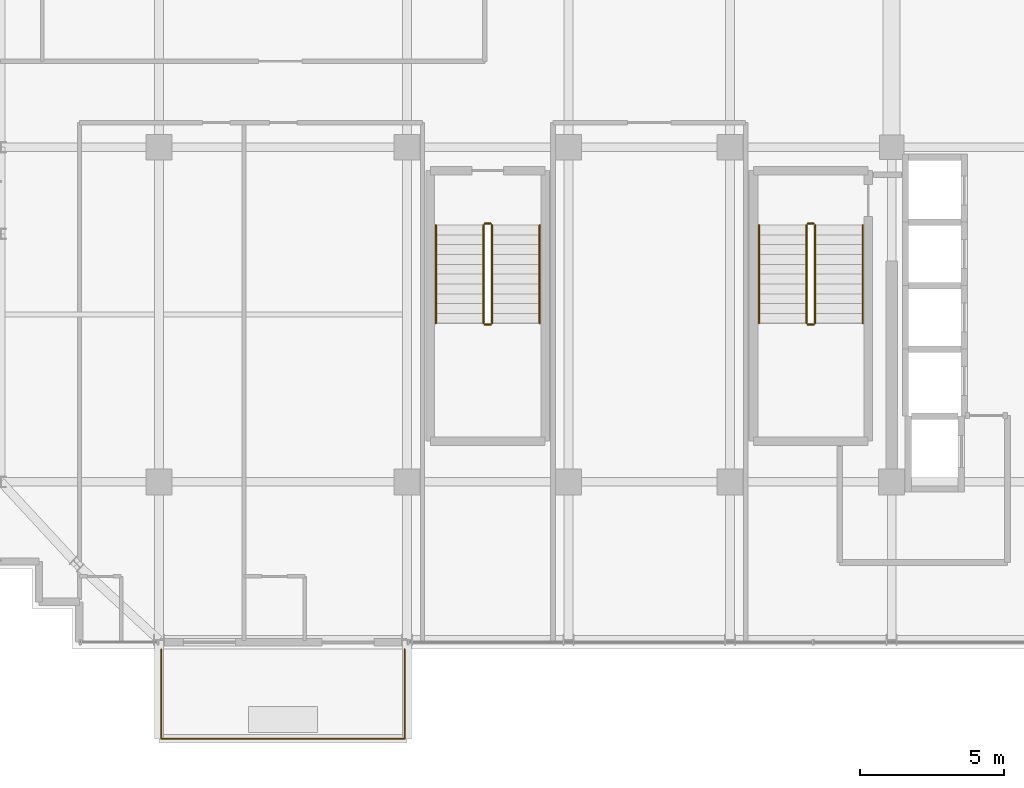
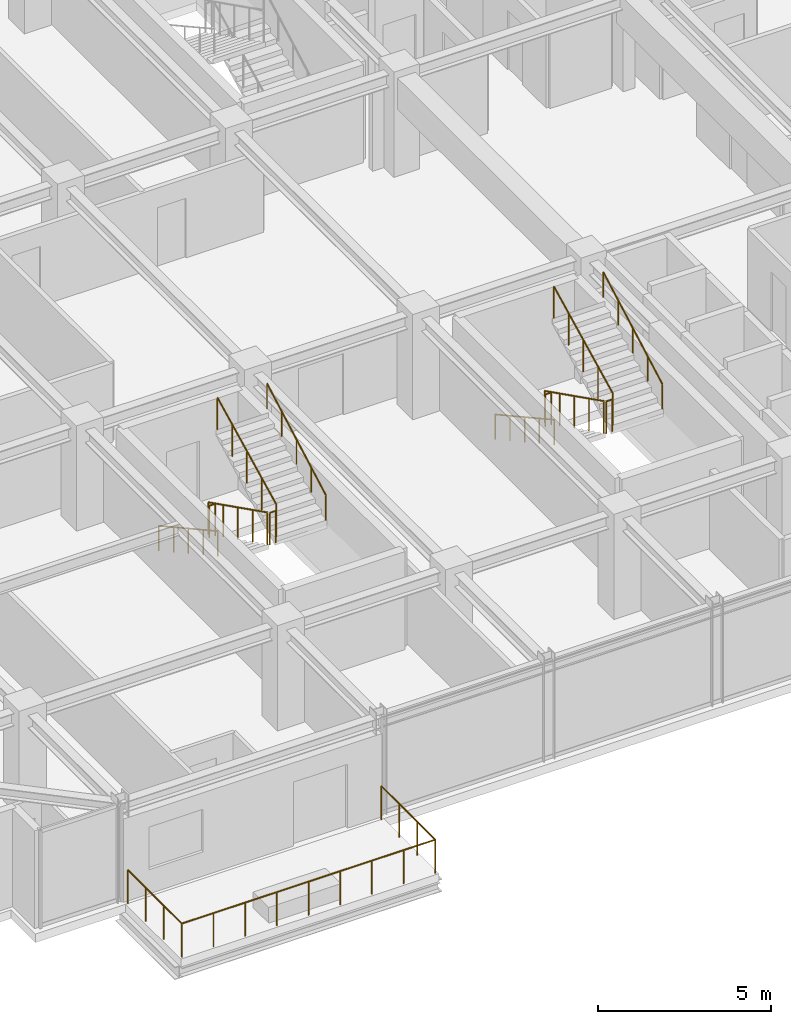
# One storey, part 31 of 33: 13 railings.
"""IFC4 building model written with IfcOpenShell, lengths in metres."""

from ifc_helpers import new_model, si_unit, direction, frame, origin, origin_2d, place, context, subcontext, project, spatial, circle, extrude, material, type_object, element, save


model = new_model("IFC4")

# Units and contexts
model_context = context("Model", 3, precision=1e-05, world=origin(), true_north=direction((0.0, 1.0)))
body_context = subcontext(model_context, "Body", "Model", "MODEL_VIEW")
ifc_project = project(units=[si_unit("LENGTHUNIT", "METRE"), si_unit("AREAUNIT", "SQUARE_METRE"), si_unit("VOLUMEUNIT", "CUBIC_METRE"), si_unit("PLANEANGLEUNIT", "RADIAN"), si_unit("MASSUNIT", "GRAM", prefix="KILO")], contexts=[model_context])

# Site, building, storey
site_placement = place(None, origin())
site = spatial("IfcSite", under=ifc_project, at=site_placement, CompositionType="ELEMENT")
building_placement = place(site_placement, origin())
building = spatial("IfcBuilding", under=site, at=building_placement, Name="Nahalor Promenade Grand Hotel", CompositionType="ELEMENT")
storey_placement = place(building_placement, frame((0.0, 0.0, 270.050048828125)))
storey = spatial("IfcBuildingStorey", under=building, at=storey_placement, Name="L69", CompositionType="ELEMENT", Elevation=270.050048828125)

# Railings
ifc_material_1 = material(Name="Anodised Bronze Aluminium EN AW-6063 T6", Category="aluminium")
railing_type_1 = type_object("IfcRailingType", Name="Bronze Balcony Guardrail 1200 mm", PredefinedType="GUARDRAIL", material=ifc_material_1)
railing_1_placement = place(storey_placement, frame((-16.919921875, -22.800048828125, 0.0)))
element("IfcRailing", 1, at=railing_1_placement, inside=storey, type_object=railing_type_1, Name="L69 Balcony Guardrail 1", PredefinedType="GUARDRAIL", context=body_context, shape_type="SweptSolid", body=[
    extrude(circle(Radius=0.024048, at=origin_2d()), frame((0.0, 0.0, 1.17578125), z_axis=(0.0, -1.0, 0.0), x_axis=(1.0, 0.0, 0.0)), (0.0, 0.0, 1.0), 3.10791015625),
    extrude(circle(Radius=0.024048, at=origin_2d()), frame((0.001953125, -3.10986328125, 1.17578125), z_axis=(1.0, 0.0, 0.0), x_axis=(0.0, 1.0, 0.0)), (0.0, 0.0, 1.0), 8.43603515625),
    extrude(circle(Radius=0.024048, at=origin_2d()), frame((8.43994140625, -3.10791015625, 1.17578125), z_axis=(0.0, 1.0, 0.0), x_axis=(-1.0, 0.0, 0.0)), (0.0, 0.0, 1.0), 3.10791015625),
    extrude(circle(Radius=0.020996, at=origin_2d()), origin(), (0.0, 0.0, 1.0), 1.14990234375),
    extrude(circle(Radius=0.020996, at=origin_2d()), frame((0.0, -1.03662109375, 0.0)), (0.0, 0.0, 1.0), 1.14990234375),
    extrude(circle(Radius=0.020996, at=origin_2d()), frame((0.0, -2.0732421875, 0.0)), (0.0, 0.0, 1.0), 1.14990234375),
    extrude(circle(Radius=0.020996, at=origin_2d()), frame((0.0, -3.10986328125, 0.0)), (0.0, 0.0, 1.0), 1.14990234375),
    extrude(circle(Radius=0.020996, at=origin_2d()), frame((1.054931640625, -3.10986328125, 0.0)), (0.0, 0.0, 1.0), 1.14990234375),
    extrude(circle(Radius=0.020996, at=origin_2d()), frame((2.10986328125, -3.10986328125, 0.0)), (0.0, 0.0, 1.0), 1.14990234375),
    extrude(circle(Radius=0.020996, at=origin_2d()), frame((3.1650390625, -3.10986328125, 0.0)), (0.0, 0.0, 1.0), 1.14990234375),
    extrude(circle(Radius=0.020996, at=origin_2d()), frame((4.219970703125, -3.10986328125, 0.0)), (0.0, 0.0, 1.0), 1.14990234375),
    extrude(circle(Radius=0.020996, at=origin_2d()), frame((5.27490234375, -3.10986328125, 0.0)), (0.0, 0.0, 1.0), 1.14990234375),
    extrude(circle(Radius=0.020996, at=origin_2d()), frame((6.330078125, -3.10986328125, 0.0)), (0.0, 0.0, 1.0), 1.14990234375),
    extrude(circle(Radius=0.020996, at=origin_2d()), frame((7.385009765625, -3.10986328125, 0.0)), (0.0, 0.0, 1.0), 1.14990234375),
    extrude(circle(Radius=0.020996, at=origin_2d()), frame((8.43994140625, -3.10986328125, 0.0)), (0.0, 0.0, 1.0), 1.14990234375),
    extrude(circle(Radius=0.020996, at=origin_2d()), frame((8.43994140625, -2.0732421875, 0.0)), (0.0, 0.0, 1.0), 1.14990234375),
    extrude(circle(Radius=0.020996, at=origin_2d()), frame((8.43994140625, -1.03662109375, 0.0)), (0.0, 0.0, 1.0), 1.14990234375),
    extrude(circle(Radius=0.020996, at=origin_2d()), frame((8.43994140625, 0.0, 0.0)), (0.0, 0.0, 1.0), 1.14990234375),
])
ifc_material_2 = material(Name="Steel S355JR", Category="steel")
railing_type_2 = type_object("IfcRailingType", Name="Steel Stair Guardrail 1150 mm", PredefinedType="GUARDRAIL", material=ifc_material_2)
railing_2_placement = place(storey_placement, frame((5.449951171875, -8.10009765625, 0.17041015625)))
element("IfcRailing", 2, at=railing_2_placement, inside=storey, type_object=railing_type_2, Name="L69 ST2 stair guard 1", PredefinedType="GUARDRAIL", context=body_context, shape_type="SweptSolid", body=[
    extrude(circle(Radius=0.024048, at=origin_2d()), frame((0.0, 0.0, 1.1259765625), z_axis=(0.0, -0.89393879905, 0.448189048899), x_axis=(1.0, 0.0, 0.0)), (0.0, 0.0, 1.0), 3.80322265625),
    extrude(circle(Radius=0.020996, at=origin_2d()), origin(), (0.0, 0.0, 1.0), 1.099853515625),
    extrude(circle(Radius=0.020996, at=origin_2d()), frame((0.0, -0.85009765625, 0.42626953125)), (0.0, 0.0, 1.0), 1.099853515625),
    extrude(circle(Radius=0.020996, at=origin_2d()), frame((0.0, -1.699951171875, 0.852294921875)), (0.0, 0.0, 1.0), 1.099853515625),
    extrude(circle(Radius=0.020996, at=origin_2d()), frame((0.0, -2.5498046875, 1.2783203125)), (0.0, 0.0, 1.0), 1.099853515625),
    extrude(circle(Radius=0.020996, at=origin_2d()), frame((0.0, -3.39990234375, 1.70458984375)), (0.0, 0.0, 1.0), 1.099853515625),
])
railing_3_placement = place(storey_placement, frame((5.5, -11.550048828125, 1.875)))
element("IfcRailing", 3, at=railing_3_placement, inside=storey, type_object=railing_type_2, Name="L69 ST2 stair guard 2", PredefinedType="GUARDRAIL", context=body_context, shape_type="SweptSolid", body=[
    extrude(circle(Radius=0.024048, at=origin_2d()), frame((0.0, 0.0, 1.1259765625), z_axis=(1.0, 0.0, 0.0), x_axis=(0.0, 1.0, 0.0)), (0.0, 0.0, 1.0), 0.199951171875),
    extrude(circle(Radius=0.020996, at=origin_2d()), origin(), (0.0, 0.0, 1.0), 1.099853515625),
    extrude(circle(Radius=0.020996, at=origin_2d()), frame((0.199951171875, 0.0, 0.0)), (0.0, 0.0, 1.0), 1.099853515625),
])
railing_4_placement = place(storey_placement, frame((5.75, -11.5, 2.04541015625)))
element("IfcRailing", 4, at=railing_4_placement, inside=storey, type_object=railing_type_2, Name="L69 ST2 stair guard 3", PredefinedType="GUARDRAIL", context=body_context, shape_type="SweptSolid", body=[
    extrude(circle(Radius=0.024048, at=origin_2d()), frame((0.0, 0.0, 1.1259765625), z_axis=(0.0, 0.89393879905, 0.448189048899), x_axis=(-1.0, 0.0, 0.0)), (0.0, 0.0, 1.0), 3.80322265625),
    extrude(circle(Radius=0.020996, at=origin_2d()), origin(), (0.0, 0.0, 1.0), 1.099853515625),
    extrude(circle(Radius=0.020996, at=origin_2d()), frame((0.0, 0.85009765625, 0.42626953125)), (0.0, 0.0, 1.0), 1.099853515625),
    extrude(circle(Radius=0.020996, at=origin_2d()), frame((0.0, 1.699951171875, 0.852294921875)), (0.0, 0.0, 1.0), 1.099853515625),
    extrude(circle(Radius=0.020996, at=origin_2d()), frame((0.0, 2.5498046875, 1.2783203125)), (0.0, 0.0, 1.0), 1.099853515625),
    extrude(circle(Radius=0.020996, at=origin_2d()), frame((0.0, 3.39990234375, 1.70458984375)), (0.0, 0.0, 1.0), 1.099853515625),
])
railing_5_placement = place(storey_placement, frame((5.5, -8.050048828125, 0.0)))
element("IfcRailing", 5, at=railing_5_placement, inside=storey, type_object=railing_type_2, Name="L69 ST2 stair guard 4", PredefinedType="GUARDRAIL", context=body_context, shape_type="SweptSolid", body=[
    extrude(circle(Radius=0.024048, at=origin_2d()), frame((0.0, 0.0, 1.1259765625), z_axis=(1.0, 0.0, 0.0), x_axis=(0.0, 1.0, 0.0)), (0.0, 0.0, 1.0), 0.199951171875),
    extrude(circle(Radius=0.020996, at=origin_2d()), origin(), (0.0, 0.0, 1.0), 1.099853515625),
    extrude(circle(Radius=0.020996, at=origin_2d()), frame((0.199951171875, 0.0, 0.0)), (0.0, 0.0, 1.0), 1.099853515625),
])
railing_6_placement = place(storey_placement, frame((-5.75, -8.10009765625, 0.17041015625)))
element("IfcRailing", 6, at=railing_6_placement, inside=storey, type_object=railing_type_2, Name="L69 ST3 stair guard 1", PredefinedType="GUARDRAIL", context=body_context, shape_type="SweptSolid", body=[
    extrude(circle(Radius=0.024048, at=origin_2d()), frame((0.0, 0.0, 1.1259765625), z_axis=(0.0, -0.89393879905, 0.448189048899), x_axis=(1.0, 0.0, 0.0)), (0.0, 0.0, 1.0), 3.80322265625),
    extrude(circle(Radius=0.020996, at=origin_2d()), origin(), (0.0, 0.0, 1.0), 1.099853515625),
    extrude(circle(Radius=0.020996, at=origin_2d()), frame((0.0, -0.85009765625, 0.42626953125)), (0.0, 0.0, 1.0), 1.099853515625),
    extrude(circle(Radius=0.020996, at=origin_2d()), frame((0.0, -1.699951171875, 0.852294921875)), (0.0, 0.0, 1.0), 1.099853515625),
    extrude(circle(Radius=0.020996, at=origin_2d()), frame((0.0, -2.5498046875, 1.2783203125)), (0.0, 0.0, 1.0), 1.099853515625),
    extrude(circle(Radius=0.020996, at=origin_2d()), frame((0.0, -3.39990234375, 1.70458984375)), (0.0, 0.0, 1.0), 1.099853515625),
])
railing_7_placement = place(storey_placement, frame((-5.699951171875, -11.550048828125, 1.875)))
element("IfcRailing", 7, at=railing_7_placement, inside=storey, type_object=railing_type_2, Name="L69 ST3 stair guard 2", PredefinedType="GUARDRAIL", context=body_context, shape_type="SweptSolid", body=[
    extrude(circle(Radius=0.024048, at=origin_2d()), frame((0.0, 0.0, 1.1259765625), z_axis=(1.0, 0.0, 0.0), x_axis=(0.0, 1.0, 0.0)), (0.0, 0.0, 1.0), 0.199951171875),
    extrude(circle(Radius=0.020996, at=origin_2d()), origin(), (0.0, 0.0, 1.0), 1.099853515625),
    extrude(circle(Radius=0.020996, at=origin_2d()), frame((0.199951171875, 0.0, 0.0)), (0.0, 0.0, 1.0), 1.099853515625),
])
railing_8_placement = place(storey_placement, frame((-5.449951171875, -11.5, 2.04541015625)))
element("IfcRailing", 8, at=railing_8_placement, inside=storey, type_object=railing_type_2, Name="L69 ST3 stair guard 3", PredefinedType="GUARDRAIL", context=body_context, shape_type="SweptSolid", body=[
    extrude(circle(Radius=0.024048, at=origin_2d()), frame((0.0, 0.0, 1.1259765625), z_axis=(0.0, 0.89393879905, 0.448189048899), x_axis=(-1.0, 0.0, 0.0)), (0.0, 0.0, 1.0), 3.80322265625),
    extrude(circle(Radius=0.020996, at=origin_2d()), origin(), (0.0, 0.0, 1.0), 1.099853515625),
    extrude(circle(Radius=0.020996, at=origin_2d()), frame((0.0, 0.85009765625, 0.42626953125)), (0.0, 0.0, 1.0), 1.099853515625),
    extrude(circle(Radius=0.020996, at=origin_2d()), frame((0.0, 1.699951171875, 0.852294921875)), (0.0, 0.0, 1.0), 1.099853515625),
    extrude(circle(Radius=0.020996, at=origin_2d()), frame((0.0, 2.5498046875, 1.2783203125)), (0.0, 0.0, 1.0), 1.099853515625),
    extrude(circle(Radius=0.020996, at=origin_2d()), frame((0.0, 3.39990234375, 1.70458984375)), (0.0, 0.0, 1.0), 1.099853515625),
])
railing_9_placement = place(storey_placement, frame((-5.699951171875, -8.050048828125, 0.0)))
element("IfcRailing", 9, at=railing_9_placement, inside=storey, type_object=railing_type_2, Name="L69 ST3 stair guard 4", PredefinedType="GUARDRAIL", context=body_context, shape_type="SweptSolid", body=[
    extrude(circle(Radius=0.024048, at=origin_2d()), frame((0.0, 0.0, 1.1259765625), z_axis=(1.0, 0.0, 0.0), x_axis=(0.0, 1.0, 0.0)), (0.0, 0.0, 1.0), 0.199951171875),
    extrude(circle(Radius=0.020996, at=origin_2d()), origin(), (0.0, 0.0, 1.0), 1.099853515625),
    extrude(circle(Radius=0.020996, at=origin_2d()), frame((0.199951171875, 0.0, 0.0)), (0.0, 0.0, 1.0), 1.099853515625),
])
railing_type_3 = type_object("IfcRailingType", Name="Steel Stair Handrail 900 mm", PredefinedType="HANDRAIL", material=ifc_material_2)
railing_10_placement = place(storey_placement, frame((3.800048828125, -8.10009765625, 0.17041015625)))
element("IfcRailing", 10, at=railing_10_placement, inside=storey, type_object=railing_type_3, Name="L69 ST2 stair handrail 1", PredefinedType="HANDRAIL", context=body_context, shape_type="SweptSolid", body=[
    extrude(circle(Radius=0.024048, at=origin_2d()), frame((0.0, 0.0, 0.8759765625), z_axis=(0.0, -0.875665712831, 0.482917756322), x_axis=(1.0, 0.0, 0.0)), (0.0, 0.0, 1.0), 3.882568359375),
    extrude(circle(Radius=0.020996, at=origin_2d()), origin(), (0.0, 0.0, 1.0), 0.849853515625),
    extrude(circle(Radius=0.020996, at=origin_2d()), frame((0.0, -0.85009765625, 0.46875)), (0.0, 0.0, 1.0), 0.849853515625),
    extrude(circle(Radius=0.020996, at=origin_2d()), frame((0.0, -1.699951171875, 0.9375)), (0.0, 0.0, 1.0), 0.849853515625),
    extrude(circle(Radius=0.020996, at=origin_2d()), frame((0.0, -2.5498046875, 1.40625)), (0.0, 0.0, 1.0), 0.849853515625),
    extrude(circle(Radius=0.020996, at=origin_2d()), frame((0.0, -3.39990234375, 1.875)), (0.0, 0.0, 1.0), 0.849853515625),
])
railing_11_placement = place(storey_placement, frame((7.39990234375, -11.5, 2.04541015625)))
element("IfcRailing", 11, at=railing_11_placement, inside=storey, type_object=railing_type_3, Name="L69 ST2 stair handrail 2", PredefinedType="HANDRAIL", context=body_context, shape_type="SweptSolid", body=[
    extrude(circle(Radius=0.024048, at=origin_2d()), frame((0.0, 0.0, 0.8759765625), z_axis=(0.0, 0.875665712831, 0.482917756322), x_axis=(-1.0, 0.0, 0.0)), (0.0, 0.0, 1.0), 3.882568359375),
    extrude(circle(Radius=0.020996, at=origin_2d()), origin(), (0.0, 0.0, 1.0), 0.849853515625),
    extrude(circle(Radius=0.020996, at=origin_2d()), frame((0.0, 0.85009765625, 0.46875)), (0.0, 0.0, 1.0), 0.849853515625),
    extrude(circle(Radius=0.020996, at=origin_2d()), frame((0.0, 1.699951171875, 0.9375)), (0.0, 0.0, 1.0), 0.849853515625),
    extrude(circle(Radius=0.020996, at=origin_2d()), frame((0.0, 2.5498046875, 1.40625)), (0.0, 0.0, 1.0), 0.849853515625),
    extrude(circle(Radius=0.020996, at=origin_2d()), frame((0.0, 3.39990234375, 1.875)), (0.0, 0.0, 1.0), 0.849853515625),
])
railing_12_placement = place(storey_placement, frame((-7.39990234375, -8.10009765625, 0.17041015625)))
element("IfcRailing", 12, at=railing_12_placement, inside=storey, type_object=railing_type_3, Name="L69 ST3 stair handrail 1", PredefinedType="HANDRAIL", context=body_context, shape_type="SweptSolid", body=[
    extrude(circle(Radius=0.024048, at=origin_2d()), frame((0.0, 0.0, 0.8759765625), z_axis=(0.0, -0.875665712831, 0.482917756322), x_axis=(1.0, 0.0, 0.0)), (0.0, 0.0, 1.0), 3.882568359375),
    extrude(circle(Radius=0.020996, at=origin_2d()), origin(), (0.0, 0.0, 1.0), 0.849853515625),
    extrude(circle(Radius=0.020996, at=origin_2d()), frame((0.0, -0.85009765625, 0.46875)), (0.0, 0.0, 1.0), 0.849853515625),
    extrude(circle(Radius=0.020996, at=origin_2d()), frame((0.0, -1.699951171875, 0.9375)), (0.0, 0.0, 1.0), 0.849853515625),
    extrude(circle(Radius=0.020996, at=origin_2d()), frame((0.0, -2.5498046875, 1.40625)), (0.0, 0.0, 1.0), 0.849853515625),
    extrude(circle(Radius=0.020996, at=origin_2d()), frame((0.0, -3.39990234375, 1.875)), (0.0, 0.0, 1.0), 0.849853515625),
])
railing_13_placement = place(storey_placement, frame((-3.800048828125, -11.5, 2.04541015625)))
element("IfcRailing", 13, at=railing_13_placement, inside=storey, type_object=railing_type_3, Name="L69 ST3 stair handrail 2", PredefinedType="HANDRAIL", context=body_context, shape_type="SweptSolid", body=[
    extrude(circle(Radius=0.024048, at=origin_2d()), frame((0.0, 0.0, 0.8759765625), z_axis=(0.0, 0.875665712831, 0.482917756322), x_axis=(-1.0, 0.0, 0.0)), (0.0, 0.0, 1.0), 3.882568359375),
    extrude(circle(Radius=0.020996, at=origin_2d()), origin(), (0.0, 0.0, 1.0), 0.849853515625),
    extrude(circle(Radius=0.020996, at=origin_2d()), frame((0.0, 0.85009765625, 0.46875)), (0.0, 0.0, 1.0), 0.849853515625),
    extrude(circle(Radius=0.020996, at=origin_2d()), frame((0.0, 1.699951171875, 0.9375)), (0.0, 0.0, 1.0), 0.849853515625),
    extrude(circle(Radius=0.020996, at=origin_2d()), frame((0.0, 2.5498046875, 1.40625)), (0.0, 0.0, 1.0), 0.849853515625),
    extrude(circle(Radius=0.020996, at=origin_2d()), frame((0.0, 3.39990234375, 1.875)), (0.0, 0.0, 1.0), 0.849853515625),
])

save(model, "model.ifc")
